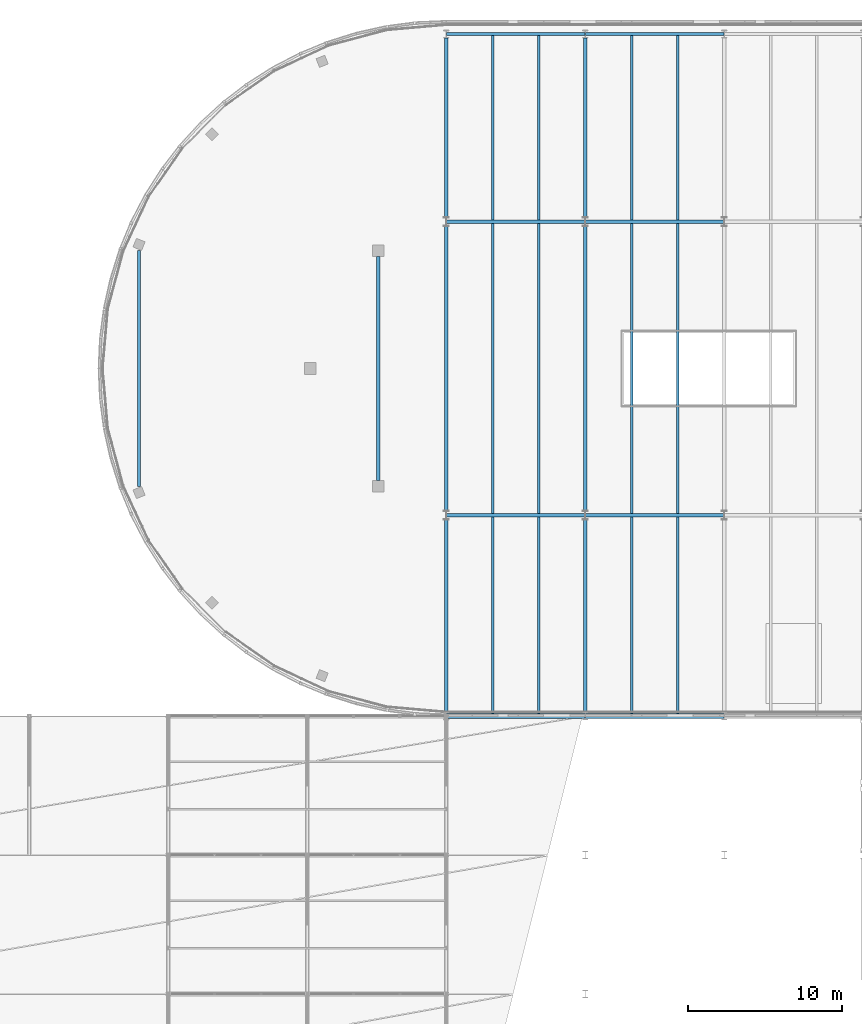
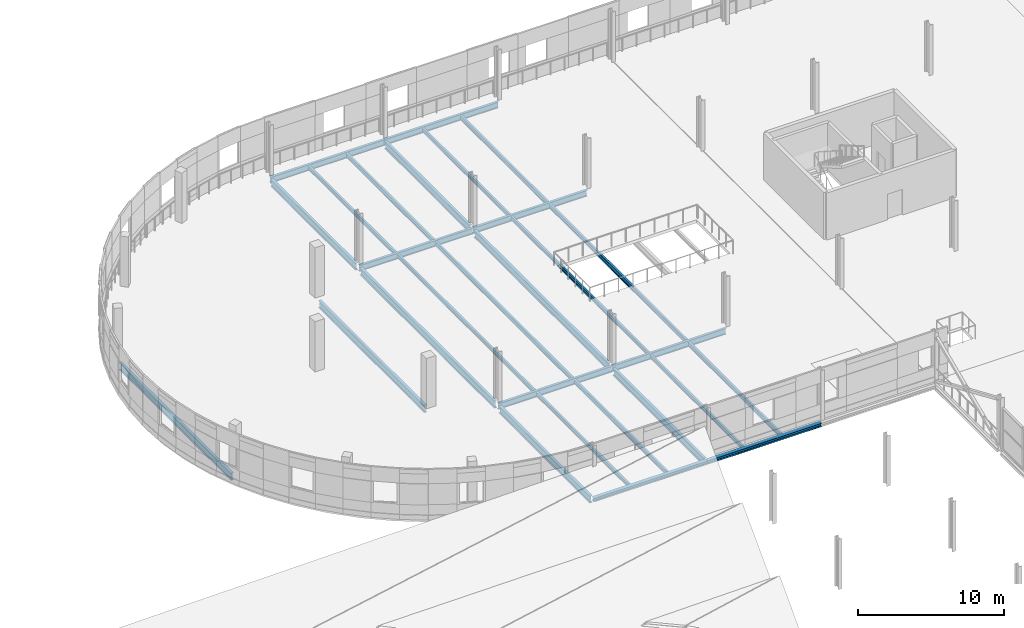
# One storey, part 35 of 103: 28 beams.
"""IFC4 building model written with IfcOpenShell, lengths in metres."""

from ifc_helpers import new_model, si_unit, direction, frame, origin, origin_2d, place, context, subcontext, project, spatial, i_section, extrude, material, material_profile, profile_set, type_object, element, save


model = new_model("IFC4")

# Units and contexts
model_context = context("Model", 3, precision=1e-05, world=origin(), true_north=direction((0.0, 1.0)))
body_context = subcontext(model_context, "Body", "Model", "MODEL_VIEW")
ifc_project = project(units=[si_unit("LENGTHUNIT", "METRE"), si_unit("AREAUNIT", "SQUARE_METRE"), si_unit("VOLUMEUNIT", "CUBIC_METRE"), si_unit("PLANEANGLEUNIT", "RADIAN"), si_unit("MASSUNIT", "GRAM", prefix="KILO")], contexts=[model_context])

# Site, building, storey
site_placement = place(None, origin())
site = spatial("IfcSite", under=ifc_project, at=site_placement, CompositionType="ELEMENT")
building_placement = place(site_placement, origin())
building = spatial("IfcBuilding", under=site, at=building_placement, Name="Deido Ridge Mobility Hub", CompositionType="ELEMENT")
storey_placement = place(building_placement, frame((0.0, 0.0, 12.60009765625)))
storey = spatial("IfcBuildingStorey", under=building, at=storey_placement, Name="L03", CompositionType="ELEMENT", Elevation=12.60009765625)

# Beams
ifc_material = material(Name="Steel S355J2 EN 10025-2", Category="steel")
ifc_material_profile_1 = material_profile(ifc_material, i_section(OverallWidth=0.199951171875, OverallDepth=0.5, WebThickness=0.01025390625, FlangeThickness=0.01611328125, FilletRadius=0.02099609375, at=origin_2d()), Name="IPE 500")
ifc_profile_set_1 = profile_set([ifc_material_profile_1], Name="Steel S355J2 EN 10025-2")
beam_type_1 = type_object("IfcBeamType", Name="BM-IPE500", PredefinedType="BEAM", material=ifc_profile_set_1)
for number, where, z_axis, x_axis, name in (
    (1, (45.0078125, 94.0, -0.51513671875), (1.0, 0.0, 0.0), (0.0, 1.0, 0.0), "Floor beam B3"),
    (2, (54.0078125, 94.0, -0.51513671875), (1.0, 0.0, 0.0), (0.0, 1.0, 0.0), "Floor beam B3"),
    (3, (45.0078125, 113.0, -0.51513671875), (1.0, 0.0, 0.0), (0.0, 1.0, 0.0), "Floor beam B3"),
    (4, (54.0078125, 113.0, -0.51513671875), (1.0, 0.0, 0.0), (0.0, 1.0, 0.0), "Floor beam B3"),
):
    element("IfcBeam", number, at=place(storey_placement, frame(where, z_axis=z_axis, x_axis=x_axis)), inside=storey, type_object=beam_type_1, Name=name, PredefinedType="BEAM", context=body_context, shape_type="SweptSolid", body=[
        extrude(i_section(OverallWidth=0.199951171875, OverallDepth=0.5, WebThickness=0.01025390625, FlangeThickness=0.01611328125, FilletRadius=0.02099609375, at=origin_2d()), origin(), (0.0, 0.0, 1.0), 8.984375),
    ])
for number, where, z_axis, x_axis, name in (
    (5, (45.007080078125, 125.14990234375, -0.51513671875), (1.0, 0.0, 0.0), (0.0, 1.0, 0.0), "Floor beam B3"),
    (6, (54.007080078125, 125.14990234375, -0.51513671875), (1.0, 0.0, 0.0), (0.0, 1.0, 0.0), "Floor beam B3"),
):
    element("IfcBeam", number, at=place(storey_placement, frame(where, z_axis=z_axis, x_axis=x_axis)), inside=storey, type_object=beam_type_1, Name=name, PredefinedType="BEAM", context=body_context, shape_type="SweptSolid", body=[
        extrude(i_section(OverallWidth=0.199951171875, OverallDepth=0.5, WebThickness=0.01025390625, FlangeThickness=0.01611328125, FilletRadius=0.02099609375, at=origin_2d()), origin(), (0.0, 0.0, 1.0), 8.98583984375),
    ])
ifc_material_profile_2 = material_profile(ifc_material, i_section(OverallWidth=0.219970703125, OverallDepth=0.60009765625, WebThickness=0.011962890625, FlangeThickness=0.01904296875, FilletRadius=0.02392578125, at=origin_2d()), Name="IPE 600")
ifc_profile_set_2 = profile_set([ifc_material_profile_2], Name="Steel S355J2 EN 10025-2")
beam_type_2 = type_object("IfcBeamType", Name="BM-IPE600", PredefinedType="BEAM", material=ifc_profile_set_2)
beam_1_placement = place(storey_placement, frame((25.110107421875, 95.8505859375, -0.565185546875), z_axis=(0.0, 1.0, 0.0), x_axis=(-1.0, 0.0, 0.0)))
element("IfcBeam", 7, at=beam_1_placement, inside=storey, type_object=beam_type_2, Name="Floor beam B1", PredefinedType="BEAM", context=body_context, shape_type="SweptSolid", body=[
    extrude(i_section(OverallWidth=0.219970703125, OverallDepth=0.60009765625, WebThickness=0.011962890625, FlangeThickness=0.01904296875, FilletRadius=0.02392578125, at=origin_2d()), origin(), (0.0, 0.0, 1.0), 15.298828125),
])
beam_2_placement = place(storey_placement, frame((40.60009765625, 96.2548828125, -0.565185546875), z_axis=(0.0, 1.0, 0.0), x_axis=(-1.0, 0.0, 0.0)))
element("IfcBeam", 8, at=beam_2_placement, inside=storey, type_object=beam_type_2, Name="Floor beam B1", PredefinedType="BEAM", context=body_context, shape_type="SweptSolid", body=[
    extrude(i_section(OverallWidth=0.219970703125, OverallDepth=0.60009765625, WebThickness=0.011962890625, FlangeThickness=0.01904296875, FilletRadius=0.02392578125, at=origin_2d()), origin(), (0.0, 0.0, 1.0), 14.490234375),
])
beam_3_placement = place(storey_placement, frame((45.0, 81.25, -0.565185546875), z_axis=(0.0, 1.0, 0.0), x_axis=(-1.0, 0.0, 0.0)))
element("IfcBeam", 9, at=beam_3_placement, inside=storey, type_object=beam_type_2, Name="Floor beam B1", PredefinedType="BEAM", context=body_context, shape_type="SweptSolid", body=[
    extrude(i_section(OverallWidth=0.219970703125, OverallDepth=0.60009765625, WebThickness=0.011962890625, FlangeThickness=0.01904296875, FilletRadius=0.02392578125, at=origin_2d()), origin(), (0.0, 0.0, 1.0), 12.449951171875),
])
beam_4_placement = place(storey_placement, frame((45.0, 94.300048828125, -0.565185546875), z_axis=(0.0, 1.0, 0.0), x_axis=(-1.0, 0.0, 0.0)))
element("IfcBeam", 10, at=beam_4_placement, inside=storey, type_object=beam_type_2, Name="Floor beam B1", PredefinedType="BEAM", context=body_context, shape_type="SweptSolid", body=[
    extrude(i_section(OverallWidth=0.219970703125, OverallDepth=0.60009765625, WebThickness=0.011962890625, FlangeThickness=0.01904296875, FilletRadius=0.02392578125, at=origin_2d()), origin(), (0.0, 0.0, 1.0), 18.39990234375),
])
beam_5_placement = place(storey_placement, frame((45.0, 113.300048828125, -0.565185546875), z_axis=(0.0, 1.0, 0.0), x_axis=(-1.0, 0.0, 0.0)))
element("IfcBeam", 11, at=beam_5_placement, inside=storey, type_object=beam_type_2, Name="Floor beam B1", PredefinedType="BEAM", context=body_context, shape_type="SweptSolid", body=[
    extrude(i_section(OverallWidth=0.219970703125, OverallDepth=0.60009765625, WebThickness=0.011962890625, FlangeThickness=0.01904296875, FilletRadius=0.02392578125, at=origin_2d()), origin(), (0.0, 0.0, 1.0), 11.599853515625),
])
beam_6_placement = place(storey_placement, frame((54.0, 81.25, -0.565185546875), z_axis=(0.0, 1.0, 0.0), x_axis=(-1.0, 0.0, 0.0)))
element("IfcBeam", 12, at=beam_6_placement, inside=storey, type_object=beam_type_2, Name="Floor beam B1", PredefinedType="BEAM", context=body_context, shape_type="SweptSolid", body=[
    extrude(i_section(OverallWidth=0.219970703125, OverallDepth=0.60009765625, WebThickness=0.011962890625, FlangeThickness=0.01904296875, FilletRadius=0.02392578125, at=origin_2d()), origin(), (0.0, 0.0, 1.0), 12.449951171875),
])
beam_7_placement = place(storey_placement, frame((54.0, 94.300048828125, -0.565185546875), z_axis=(0.0, 1.0, 0.0), x_axis=(-1.0, 0.0, 0.0)))
element("IfcBeam", 13, at=beam_7_placement, inside=storey, type_object=beam_type_2, Name="Floor beam B1", PredefinedType="BEAM", context=body_context, shape_type="SweptSolid", body=[
    extrude(i_section(OverallWidth=0.219970703125, OverallDepth=0.60009765625, WebThickness=0.011962890625, FlangeThickness=0.01904296875, FilletRadius=0.02392578125, at=origin_2d()), origin(), (0.0, 0.0, 1.0), 18.39990234375),
])
beam_8_placement = place(storey_placement, frame((54.0, 113.300048828125, -0.565185546875), z_axis=(0.0, 1.0, 0.0), x_axis=(-1.0, 0.0, 0.0)))
element("IfcBeam", 14, at=beam_8_placement, inside=storey, type_object=beam_type_2, Name="Floor beam B1", PredefinedType="BEAM", context=body_context, shape_type="SweptSolid", body=[
    extrude(i_section(OverallWidth=0.219970703125, OverallDepth=0.60009765625, WebThickness=0.011962890625, FlangeThickness=0.01904296875, FilletRadius=0.02392578125, at=origin_2d()), origin(), (0.0, 0.0, 1.0), 11.599853515625),
])
ifc_material_profile_3 = material_profile(ifc_material, i_section(OverallWidth=0.159912109375, OverallDepth=0.330078125, WebThickness=0.007568359375, FlangeThickness=0.011474609375, FilletRadius=0.01806640625, at=origin_2d()), Name="IPE 330")
ifc_profile_set_3 = profile_set([ifc_material_profile_3], Name="Steel S355J2 EN 10025-2")
beam_type_3 = type_object("IfcBeamType", Name="JST-IPE330", PredefinedType="JOIST", material=ifc_profile_set_3)
for number, where, z_axis, x_axis, name in (
    (15, (48.0, 81.14990234375, -0.43017578125), (0.0, 1.0, 0.0), (-1.0, 0.0, 0.0), "Composite joist J2"),
    (16, (57.0, 81.14990234375, -0.43017578125), (0.0, 1.0, 0.0), (-1.0, 0.0, 0.0), "Composite joist J2"),
):
    element("IfcBeam", number, at=place(storey_placement, frame(where, z_axis=z_axis, x_axis=x_axis)), inside=storey, type_object=beam_type_3, Name=name, PredefinedType="JOIST", context=body_context, shape_type="SweptSolid", body=[
        extrude(i_section(OverallWidth=0.159912109375, OverallDepth=0.330078125, WebThickness=0.007568359375, FlangeThickness=0.011474609375, FilletRadius=0.01806640625, at=origin_2d()), origin(), (0.0, 0.0, 1.0), 12.75),
    ])
for number, where, z_axis, x_axis, name in (
    (17, (48.0, 94.10009765625, -0.43017578125), (0.0, 1.0, 0.0), (-1.0, 0.0, 0.0), "Composite joist J2"),
    (18, (57.0, 94.10009765625, -0.43017578125), (0.0, 1.0, 0.0), (-1.0, 0.0, 0.0), "Composite joist J2"),
):
    element("IfcBeam", number, at=place(storey_placement, frame(where, z_axis=z_axis, x_axis=x_axis)), inside=storey, type_object=beam_type_3, Name=name, PredefinedType="JOIST", context=body_context, shape_type="SweptSolid", body=[
        extrude(i_section(OverallWidth=0.159912109375, OverallDepth=0.330078125, WebThickness=0.007568359375, FlangeThickness=0.011474609375, FilletRadius=0.01806640625, at=origin_2d()), origin(), (0.0, 0.0, 1.0), 18.7998046875),
    ])
for number, where, z_axis, x_axis, name in (
    (19, (48.0, 113.10009765625, -0.43017578125), (0.0, 1.0, 0.0), (-1.0, 0.0, 0.0), "Composite joist J2"),
    (20, (57.0, 113.10009765625, -0.43017578125), (0.0, 1.0, 0.0), (-1.0, 0.0, 0.0), "Composite joist J2"),
):
    element("IfcBeam", number, at=place(storey_placement, frame(where, z_axis=z_axis, x_axis=x_axis)), inside=storey, type_object=beam_type_3, Name=name, PredefinedType="JOIST", context=body_context, shape_type="SweptSolid", body=[
        extrude(i_section(OverallWidth=0.159912109375, OverallDepth=0.330078125, WebThickness=0.007568359375, FlangeThickness=0.011474609375, FilletRadius=0.01806640625, at=origin_2d()), origin(), (0.0, 0.0, 1.0), 11.949951171875),
    ])
ifc_material_profile_4 = material_profile(ifc_material, i_section(OverallWidth=0.169921875, OverallDepth=0.360107421875, WebThickness=0.008056640625, FlangeThickness=0.0126953125, FilletRadius=0.01806640625, at=origin_2d()), Name="IPE 360")
ifc_profile_set_4 = profile_set([ifc_material_profile_4], Name="Steel S355J2 EN 10025-2")
beam_type_4 = type_object("IfcBeamType", Name="JST-IPE360", PredefinedType="JOIST", material=ifc_profile_set_4)
for number, where, z_axis, x_axis, name in (
    (21, (51.0, 81.14990234375, -0.445068359375), (0.0, 1.0, 0.0), (-1.0, 0.0, 0.0), "Composite joist J1"),
    (22, (60.0, 81.14990234375, -0.445068359375), (0.0, 1.0, 0.0), (-1.0, 0.0, 0.0), "Composite joist J1"),
):
    element("IfcBeam", number, at=place(storey_placement, frame(where, z_axis=z_axis, x_axis=x_axis)), inside=storey, type_object=beam_type_4, Name=name, PredefinedType="JOIST", context=body_context, shape_type="SweptSolid", body=[
        extrude(i_section(OverallWidth=0.169921875, OverallDepth=0.360107421875, WebThickness=0.008056640625, FlangeThickness=0.0126953125, FilletRadius=0.01806640625, at=origin_2d()), origin(), (0.0, 0.0, 1.0), 12.75),
    ])
for number, where, z_axis, x_axis, name in (
    (23, (51.0, 94.10009765625, -0.445068359375), (0.0, 1.0, 0.0), (-1.0, 0.0, 0.0), "Composite joist J1"),
    (24, (60.0, 94.10009765625, -0.445068359375), (0.0, 1.0, 0.0), (-1.0, 0.0, 0.0), "Composite joist J1"),
):
    element("IfcBeam", number, at=place(storey_placement, frame(where, z_axis=z_axis, x_axis=x_axis)), inside=storey, type_object=beam_type_4, Name=name, PredefinedType="JOIST", context=body_context, shape_type="SweptSolid", body=[
        extrude(i_section(OverallWidth=0.169921875, OverallDepth=0.360107421875, WebThickness=0.008056640625, FlangeThickness=0.0126953125, FilletRadius=0.01806640625, at=origin_2d()), origin(), (0.0, 0.0, 1.0), 18.7998046875),
    ])
for number, where, z_axis, x_axis, name in (
    (25, (51.0, 113.10009765625, -0.445068359375), (0.0, 1.0, 0.0), (-1.0, 0.0, 0.0), "Composite joist J1"),
    (26, (60.0, 113.10009765625, -0.445068359375), (0.0, 1.0, 0.0), (-1.0, 0.0, 0.0), "Composite joist J1"),
):
    element("IfcBeam", number, at=place(storey_placement, frame(where, z_axis=z_axis, x_axis=x_axis)), inside=storey, type_object=beam_type_4, Name=name, PredefinedType="JOIST", context=body_context, shape_type="SweptSolid", body=[
        extrude(i_section(OverallWidth=0.169921875, OverallDepth=0.360107421875, WebThickness=0.008056640625, FlangeThickness=0.0126953125, FilletRadius=0.01806640625, at=origin_2d()), origin(), (0.0, 0.0, 1.0), 11.949951171875),
    ])
ifc_material_profile_5 = material_profile(ifc_material, i_section(OverallWidth=0.300048828125, OverallDepth=0.300048828125, WebThickness=0.010986328125, FlangeThickness=0.01904296875, FilletRadius=0.027099609375, at=origin_2d()), Name="HEB 300")
ifc_profile_set_5 = profile_set([ifc_material_profile_5], Name="Steel S355J2 EN 10025-2")
beam_type_5 = type_object("IfcBeamType", Name="SPD-HEB300", PredefinedType="SPANDREL", material=ifc_profile_set_5)
for number, where, z_axis, x_axis, name in (
    (27, (45.007080078125, 81.0, -0.4150390625), (1.0, 0.0, 0.0), (0.0, 1.0, 0.0), "Floor beam SP1"),
    (28, (54.007080078125, 81.0, -0.4150390625), (1.0, 0.0, 0.0), (0.0, 1.0, 0.0), "Floor beam SP1"),
):
    element("IfcBeam", number, at=place(storey_placement, frame(where, z_axis=z_axis, x_axis=x_axis)), inside=storey, type_object=beam_type_5, Name=name, PredefinedType="SPANDREL", context=body_context, shape_type="SweptSolid", body=[
        extrude(i_section(OverallWidth=0.300048828125, OverallDepth=0.300048828125, WebThickness=0.010986328125, FlangeThickness=0.01904296875, FilletRadius=0.027099609375, at=origin_2d()), origin(), (0.0, 0.0, 1.0), 8.98583984375),
    ])

save(model, "model.ifc")
